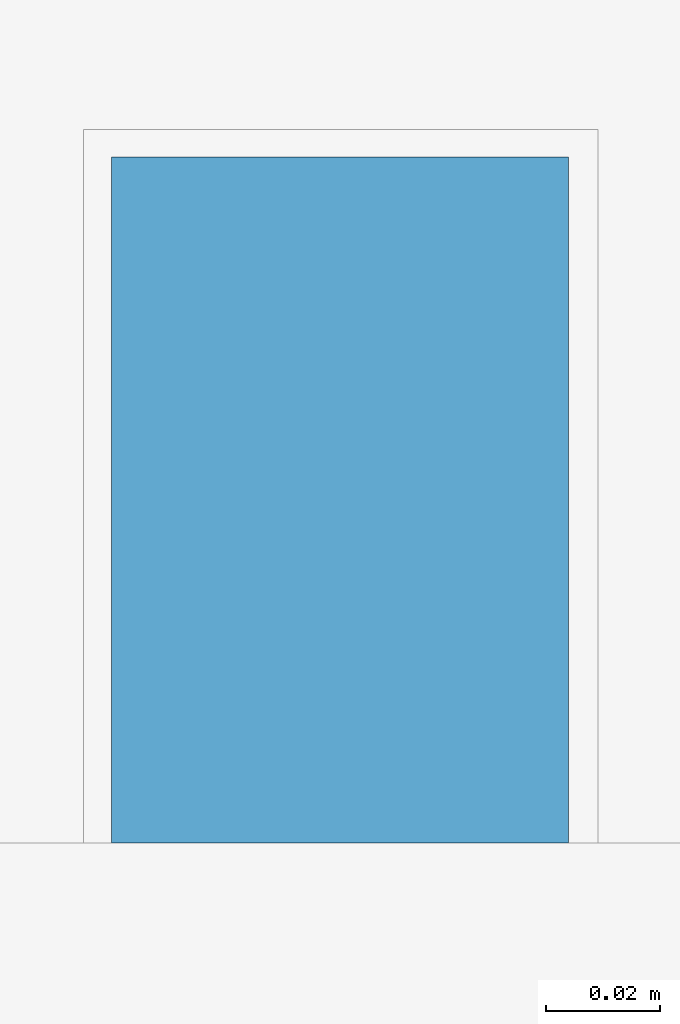
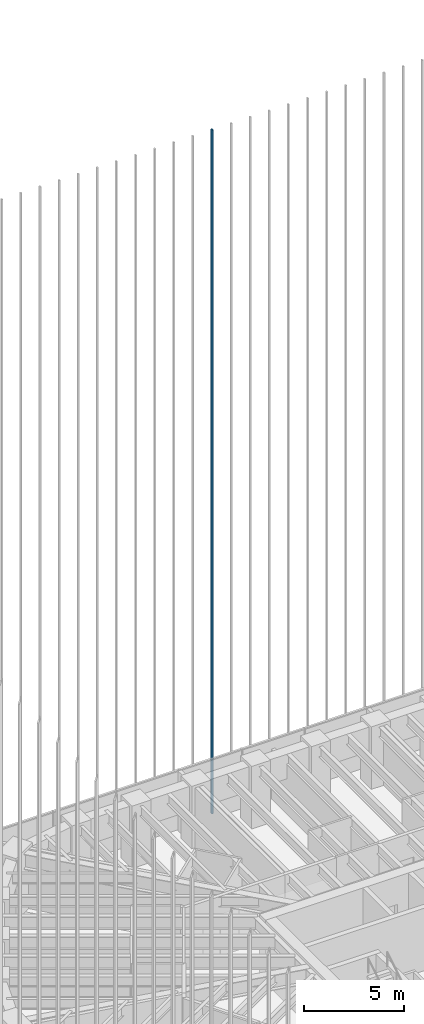
# One storey, part 82 of 127: 1 member, 1 element without a shape of its own.
"""IFC4 building model written with IfcOpenShell, lengths in metres."""

import ifcopenshell
import ifcopenshell.guid

model = None  # the IFC model being written
_history = None  # IfcOwnerHistory: only IFC2X3 demands one
_inside = {}  # id of a spatial element -> (the spatial element, [elements in it])
_under = {}  # id of a project, library or spatial element -> (it, [spatial elements below it])
_declared = {}  # id of a project -> (the project, [libraries it declares])
_typed = {}  # id of a type object -> (the type object, [elements of that type])
_made_of = {}  # id of a material, layer set ... -> (it, [elements and type objects made of it])


def new_model(schema):
    """Start an empty IFC model of exactly this schema.

    Asked for "IFC4X3", IfcOpenShell would pick the latest addendum, in which some entities
    have other attributes; the version numbers below select the first issue.
    IFC2X3 requires an IfcOwnerHistory on every rooted entity: one is made here for all.
    """
    global model, _history
    if schema == "IFC4X3":
        model = ifcopenshell.file(schema_version=(4, 3, 0, 0))
    else:
        model = ifcopenshell.file(schema=schema)
    _inside.clear()
    _under.clear()
    _declared.clear()
    _typed.clear()
    _made_of.clear()
    _history = None
    if model.schema == "IFC2X3":
        org = make("IfcOrganization", Name="unknown")
        user = make(
            "IfcPersonAndOrganization",
            ThePerson=make("IfcPerson", FamilyName="unknown"),
            TheOrganization=org,
        )
        app = make(
            "IfcApplication",
            ApplicationDeveloper=org,
            Version="unknown",
            ApplicationFullName="unknown",
            ApplicationIdentifier="unknown",
        )
        _history = make(
            "IfcOwnerHistory",
            OwningUser=user,
            OwningApplication=app,
            ChangeAction="ADDED",
            CreationDate=0,
        )
    return model


def make(cls, **values):
    """One entity of the class cls with the attributes given. An attribute that is None is left unset."""
    return model.create_entity(
        cls, **{name: value for name, value in values.items() if value is not None}
    )


def rooted(cls, **values):
    """An entity with a GlobalId (a new one), such as an element, a storey or a relation."""
    return make(cls, GlobalId=ifcopenshell.guid.new(), OwnerHistory=_history, **values)


def si_unit(unit_type, name, prefix=None):
    """IfcSIUnit, for example si_unit("LENGTHUNIT", "METRE", prefix="MILLI")."""
    return make("IfcSIUnit", UnitType=unit_type, Prefix=prefix, Name=name)


def assignment(units):
    """IfcUnitAssignment: the units of a project."""
    return None if units is None else make("IfcUnitAssignment", Units=units)


def point(xyz):
    """IfcCartesianPoint."""
    return None if xyz is None else make("IfcCartesianPoint", Coordinates=xyz)


def direction(xyz):
    """IfcDirection."""
    return None if xyz is None else make("IfcDirection", DirectionRatios=xyz)


def frame(location, z_axis=None, x_axis=None):
    """IfcAxis2Placement3D, a coordinate frame: its origin and axes. An axis left out is left unset."""
    return make(
        "IfcAxis2Placement3D",
        Location=point(location),
        Axis=direction(z_axis),
        RefDirection=direction(x_axis),
    )


def frame_2d(location, x_axis=None):
    """IfcAxis2Placement2D, a coordinate frame in the plane: its origin and x axis."""
    return make(
        "IfcAxis2Placement2D", Location=point(location), RefDirection=direction(x_axis)
    )


def origin():
    """The frame at (0, 0, 0) with its axes left unset."""
    return frame((0.0, 0.0, 0.0))


def origin_2d():
    """The frame at (0, 0) in the plane with its x axis left unset."""
    return frame_2d((0.0, 0.0))


def place(relative_to, where):
    """IfcLocalPlacement: puts the frame where relative to a parent placement (None: the world)."""
    return make(
        "IfcLocalPlacement", PlacementRelTo=relative_to, RelativePlacement=where
    )


def context(
    kind, dimensions, precision=None, world=None, true_north=None, identifier=None
):
    """IfcGeometricRepresentationContext, for example the 3D "Model" context."""
    return make(
        "IfcGeometricRepresentationContext",
        ContextIdentifier=identifier,
        ContextType=kind,
        CoordinateSpaceDimension=dimensions,
        Precision=precision,
        WorldCoordinateSystem=world,
        TrueNorth=true_north,
    )


def subcontext(parent, identifier, kind, view, scale=None):
    """IfcGeometricRepresentationSubContext, for example "Body" below "Model"."""
    return make(
        "IfcGeometricRepresentationSubContext",
        ContextIdentifier=identifier,
        ContextType=kind,
        ParentContext=parent,
        TargetScale=scale,
        TargetView=view,
    )


def project(units=None, contexts=None):
    """IfcProject with its units and contexts."""
    return rooted(
        "IfcProject",
        Name="project",
        RepresentationContexts=contexts,
        UnitsInContext=assignment(units),
    )


def spatial(cls, under=None, at=None, **own):
    """A site, building, storey or space (cls), placed at a placement, below another one or the project."""
    s = rooted(cls, ObjectPlacement=at, **own)
    if under is not None:
        _under.setdefault(under.id(), (under, []))[1].append(s)
    return s


def profile(cls, at=None, kind="AREA", **sizes):
    """A parametric profile (cls). Its sizes go by their IFC names, for example OverallWidth=200.0."""
    return make(cls, ProfileType=kind, Position=at, **sizes)


def rectangle(**sizes):
    """IfcRectangleProfileDef."""
    return profile("IfcRectangleProfileDef", **sizes)


def extrude(swept, where, along, depth):
    """IfcExtrudedAreaSolid: the profile swept, set in the frame where, extruded along a direction by depth."""
    return make(
        "IfcExtrudedAreaSolid",
        SweptArea=swept,
        Position=where,
        ExtrudedDirection=direction(along),
        Depth=depth,
    )


def shape(context_of_items, identifier, shape_type, items):
    """IfcShapeRepresentation: the items that make up one representation, for example the "Body"."""
    return make(
        "IfcShapeRepresentation",
        ContextOfItems=context_of_items,
        RepresentationIdentifier=identifier,
        RepresentationType=shape_type,
        Items=items,
    )


def material(Name=None, Category=None):
    """IfcMaterial."""
    return make("IfcMaterial", Name=Name, Category=Category)


def material_profile(
    of_material, cross_section, Name=None, Category=None, Priority=None
):
    """IfcMaterialProfile: a cross section and its material."""
    return make(
        "IfcMaterialProfile",
        Name=Name,
        Material=of_material,
        Profile=cross_section,
        Priority=Priority,
        Category=Category,
    )


def profile_set(profiles, Name=None, composite=None):
    """IfcMaterialProfileSet."""
    return make(
        "IfcMaterialProfileSet",
        Name=Name,
        MaterialProfiles=profiles,
        CompositeProfile=composite,
    )


def made_of(thing, what):
    """Note that an element or type object is made of a material, layer set ...; save() writes the relation."""
    if what is not None:
        _made_of.setdefault(what.id(), (what, []))[1].append(thing)
    return thing


def type_object(cls, material=None, **own):
    """A type object (cls), such as IfcWallType, which elements share."""
    return made_of(rooted(cls, **own), material)


def element(
    cls,
    number,
    at=None,
    inside=None,
    cuts=None,
    type_object=None,
    material=None,
    context=None,
    identifier="Body",
    shape_type=None,
    held_by="IfcProductDefinitionShape",
    body=None,
    shapes=None,
    **own,
):
    """One element of the class cls, such as IfcWall. Its Tag is "e" and its number.

    at: its placement. inside: the storey or other place that contains it. cuts: it is an
    opening in that element (IfcRelVoidsElement). A single representation is given by context,
    identifier, shape_type and body (its items); several are given by shapes. held_by: the class
    of the entity that holds the representations. save() writes the other relations.
    """
    e = rooted(cls, Tag="e%d" % number, ObjectPlacement=at, **own)
    if body is not None:
        shapes = [shape(context, identifier, shape_type, body)]
    if shapes is not None:
        e.Representation = make(held_by, Representations=shapes)
    if inside is not None:
        _inside.setdefault(inside.id(), (inside, []))[1].append(e)
    if cuts is not None:
        rooted(
            "IfcRelVoidsElement", RelatingBuildingElement=cuts, RelatedOpeningElement=e
        )
    if type_object is not None:
        _typed.setdefault(type_object.id(), (type_object, []))[1].append(e)
    return made_of(e, material)


def aggregate(whole, parts):
    """IfcRelAggregates: a whole, such as a stair, and the parts it consists of."""
    return rooted("IfcRelAggregates", RelatingObject=whole, RelatedObjects=parts)


def save(model, path):
    """Write the relations noted so far, then the file.

    IfcRelAggregates (storeys below a building ...), IfcRelContainedInSpatialStructure (elements
    in a storey), IfcRelDefinesByType, IfcRelAssociatesMaterial and IfcRelDeclares: one each for
    every whole, place, type object, material and project.
    """
    for whole, parts in _under.values():
        aggregate(whole, parts)
    for where, things in _inside.values():
        rooted(
            "IfcRelContainedInSpatialStructure",
            RelatedElements=things,
            RelatingStructure=where,
        )
    for kind, things in _typed.values():
        rooted("IfcRelDefinesByType", RelatedObjects=things, RelatingType=kind)
    for what, things in _made_of.values():
        rooted("IfcRelAssociatesMaterial", RelatedObjects=things, RelatingMaterial=what)
    for by, libraries in _declared.values():
        rooted("IfcRelDeclares", RelatingContext=by, RelatedDefinitions=libraries)
    model.write(path)


model = new_model("IFC4")

# Units and contexts
model_context = context("Model", 3, precision=1e-05, world=origin(), true_north=direction((0.0, 1.0)))
body_context = subcontext(model_context, "Body", "Model", "MODEL_VIEW")
ifc_project = project(units=[si_unit("LENGTHUNIT", "METRE"), si_unit("AREAUNIT", "SQUARE_METRE"), si_unit("VOLUMEUNIT", "CUBIC_METRE"), si_unit("PLANEANGLEUNIT", "RADIAN"), si_unit("MASSUNIT", "GRAM", prefix="KILO")], contexts=[model_context])

# Site, building, storey
site_placement = place(None, origin())
site = spatial("IfcSite", under=ifc_project, at=site_placement, CompositionType="ELEMENT")
building_placement = place(site_placement, origin())
building = spatial("IfcBuilding", under=site, at=building_placement, Name="Sandreach Pilgrim Tower", CompositionType="ELEMENT")
storey_placement = place(building_placement, frame((0.0, 0.0, 257.0)))
storey = spatial("IfcBuildingStorey", under=building, at=storey_placement, Name="L64", CompositionType="ELEMENT", Elevation=257.0)

# Curtain wall, member
ifc_material_1 = material(Name="Aluminium framed curtain wall", Category="aluminium")
curtain_wall_type = type_object("IfcCurtainWallType", Name="Suite tower curtain wall", PredefinedType="NOTDEFINED", material=ifc_material_1)
curtain_wall_placement = place(storey_placement, origin())
curtain_wall = element("IfcCurtainWall", 1, at=curtain_wall_placement, inside=storey, type_object=curtain_wall_type, Name="CW-4 L64 N", PredefinedType="NOTDEFINED")
ifc_material_2 = material(Name="Extruded terracotta on aluminium core", Category="masonry")
ifc_material_profile = material_profile(ifc_material_2, rectangle(XDim=0.080078125, YDim=0.1201171875, at=origin_2d()), Name="TBN 80X120")
ifc_profile_set = profile_set([ifc_material_profile], Name="Extruded terracotta on aluminium core")
member_type = type_object("IfcMemberType", Name="Terracotta baguette north", PredefinedType="USERDEFINED", material=ifc_profile_set)
member_placement = place(storey_placement, frame((-3.30126953125, 20.1865234375, 0.0), z_axis=(0.0, 0.0, 1.0), x_axis=(1.0, 0.0, 0.0)))
member = element("IfcMember", 2, at=member_placement, type_object=member_type, Name="Baguette Z4 N12", ObjectType="BAGUETTE", PredefinedType="USERDEFINED", context=body_context, shape_type="SweptSolid", body=[
    extrude(rectangle(XDim=0.080078125, YDim=0.1201171875, at=origin_2d()), origin(), (0.0, 0.0, 1.0), 41.639892578125),
])
aggregate(curtain_wall, [member])

save(model, "model.ifc")
